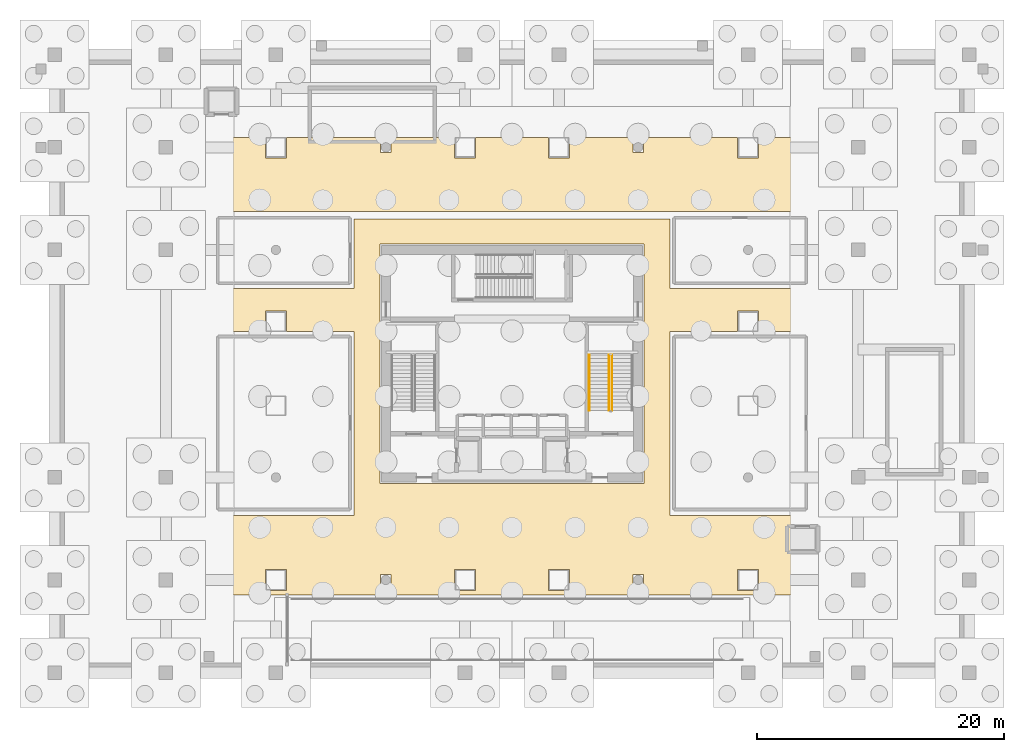
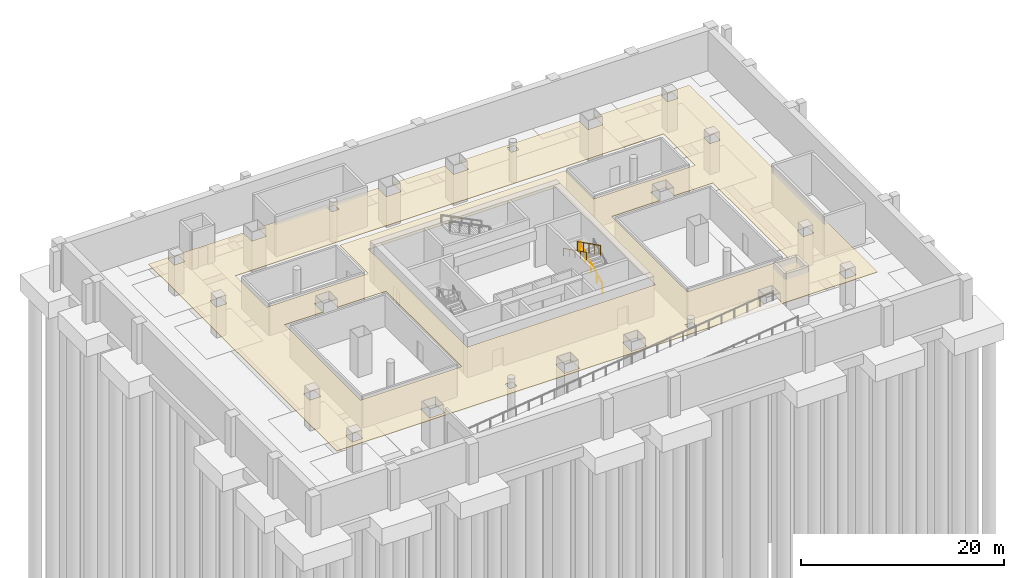
# One storey, part 9 of 11: 3 railings, 1 covering.
"""IFC4 building model written with IfcOpenShell, lengths in metres."""

from ifc_helpers import new_model, si_unit, direction, frame, origin, origin_2d, place, context, subcontext, project, spatial, polyline, circle, outline, extrude, material, layer, layer_set, type_object, element, save


model = new_model("IFC4")

# Units and contexts
model_context = context("Model", 3, precision=1e-05, world=origin(), true_north=direction((0.0, 1.0)))
body_context = subcontext(model_context, "Body", "Model", "MODEL_VIEW")
ifc_project = project(units=[si_unit("LENGTHUNIT", "METRE"), si_unit("AREAUNIT", "SQUARE_METRE"), si_unit("VOLUMEUNIT", "CUBIC_METRE"), si_unit("PLANEANGLEUNIT", "RADIAN"), si_unit("MASSUNIT", "GRAM", prefix="KILO")], contexts=[model_context])

# Site, building, storey
site_placement = place(None, origin())
site = spatial("IfcSite", under=ifc_project, at=site_placement, CompositionType="ELEMENT")
building_placement = place(site_placement, origin())
building = spatial("IfcBuilding", under=site, at=building_placement, Name="Punatoya Terracotta Tower", CompositionType="ELEMENT")
storey_placement = place(building_placement, frame((0.0, 0.0, -9.60009765625)))
storey = spatial("IfcBuildingStorey", under=building, at=storey_placement, Name="B2", CompositionType="ELEMENT", Elevation=-9.60009765625)

# Covering
ifc_material_1 = material(Name="Acoustic Mineral Fibre Ceiling")
ifc_layer = layer(ifc_material_1, 0.06005859375)
ifc_layer_set = layer_set([ifc_layer], Name="Acoustic Mineral Fibre Ceiling")
covering_type = type_object("IfcCoveringType", Name="COV-CEIL-60", PredefinedType="CEILING", material=ifc_layer_set)
covering_placement = place(storey_placement, frame((0.0, 0.0, 3.739990234375)))
element("IfcCovering", 1, at=covering_placement, inside=storey, type_object=covering_type, Name="B2 Two-Way Basement Parking and Core Circulation Loop Acoustic Ceiling", PredefinedType="CEILING", context=body_context, shape_type="SweptSolid", body=[
    extrude(outline(polyline([(30.699951171875, -18.699951171875), (30.699951171875, 18.300048828125), (19.949951171875, 18.300048828125), (19.949951171875, 16.64990234375), (18.25, 16.64990234375), (18.25, 18.300048828125), (4.64990234375, 18.300048828125), (4.64990234375, 16.64990234375), (2.949951171875, 16.64990234375), (2.949951171875, 18.300048828125), (-2.949951171875, 18.300048828125), (-2.949951171875, 16.64990234375), (-4.64990234375, 16.64990234375), (-4.64990234375, 18.300048828125), (-18.25, 18.300048828125), (-18.25, 16.64990234375), (-19.949951171875, 16.64990234375), (-19.949951171875, 18.300048828125), (-30.699951171875, 18.300048828125), (-30.699951171875, -18.699951171875), (30.699951171875, -18.699951171875)]), holes=[polyline([(28.60009765625, 18.10009765625), (28.60009765625, 16.89990234375), (27.39990234375, 16.89990234375), (27.39990234375, 18.10009765625), (28.60009765625, 18.10009765625)]), polyline([(28.60009765625, 8.60009765625), (27.39990234375, 8.60009765625), (27.39990234375, 9.800048828125), (28.60009765625, 9.800048828125), (28.60009765625, 8.60009765625)]), polyline([(28.60009765625, -8.60009765625), (28.60009765625, -9.800048828125), (27.39990234375, -9.800048828125), (27.39990234375, -8.60009765625), (28.60009765625, -8.60009765625)]), polyline([(28.60009765625, -16.89990234375), (28.60009765625, -18.10009765625), (27.39990234375, -18.10009765625), (27.39990234375, -16.89990234375), (28.60009765625, -16.89990234375)]), polyline([(18.25, 2.60009765625), (18.25, 4.25), (19.949951171875, 4.25), (19.949951171875, 2.60009765625), (24.300048828125, 2.60009765625), (24.300048828125, -12.300048828125), (12.800048828125, -12.300048828125), (12.800048828125, 2.60009765625), (18.25, 2.60009765625)]), polyline([(12.800048828125, 11.699951171875), (-12.800048828125, 11.699951171875), (-12.800048828125, 6.10009765625), (-24.300048828125, 6.10009765625), (-24.300048828125, 12.300048828125), (24.300048828125, 12.300048828125), (24.300048828125, 6.10009765625), (12.800048828125, 6.10009765625), (12.800048828125, 11.699951171875)]), polyline([(19.949951171875, -18.35009765625), (18.25, -18.35009765625), (18.25, -16.64990234375), (19.949951171875, -16.64990234375), (19.949951171875, -18.35009765625)]), polyline([(10.679931640625, -9.679931640625), (-10.679931640625, -9.679931640625), (-10.679931640625, 9.679931640625), (10.679931640625, 9.679931640625), (10.679931640625, -9.679931640625)]), polyline([(9.77490234375, -17.074951171875), (10.625, -17.074951171875), (10.625, -17.925048828125), (9.77490234375, -17.925048828125), (9.77490234375, -17.074951171875)]), polyline([(10.625, 17.074951171875), (9.77490234375, 17.074951171875), (9.77490234375, 17.925048828125), (10.625, 17.925048828125), (10.625, 17.074951171875)]), polyline([(4.64990234375, -16.64990234375), (4.64990234375, -18.35009765625), (2.949951171875, -18.35009765625), (2.949951171875, -16.64990234375), (4.64990234375, -16.64990234375)]), polyline([(-4.64990234375, -16.64990234375), (-2.949951171875, -16.64990234375), (-2.949951171875, -18.35009765625), (-4.64990234375, -18.35009765625), (-4.64990234375, -16.64990234375)]), polyline([(-9.77490234375, 17.925048828125), (-9.77490234375, 17.074951171875), (-10.625, 17.074951171875), (-10.625, 17.925048828125), (-9.77490234375, 17.925048828125)]), polyline([(-10.625, -17.925048828125), (-10.625, -17.074951171875), (-9.77490234375, -17.074951171875), (-9.77490234375, -17.925048828125), (-10.625, -17.925048828125)]), polyline([(-12.800048828125, -12.300048828125), (-24.300048828125, -12.300048828125), (-24.300048828125, 2.60009765625), (-19.949951171875, 2.60009765625), (-19.949951171875, 4.25), (-18.25, 4.25), (-18.25, 2.60009765625), (-12.800048828125, 2.60009765625), (-12.800048828125, -12.300048828125)]), polyline([(-19.949951171875, -18.35009765625), (-19.949951171875, -16.64990234375), (-18.25, -16.64990234375), (-18.25, -18.35009765625), (-19.949951171875, -18.35009765625)]), polyline([(-28.60009765625, -16.89990234375), (-27.39990234375, -16.89990234375), (-27.39990234375, -18.10009765625), (-28.60009765625, -18.10009765625), (-28.60009765625, -16.89990234375)]), polyline([(-28.60009765625, 18.10009765625), (-27.39990234375, 18.10009765625), (-27.39990234375, 16.89990234375), (-28.60009765625, 16.89990234375), (-28.60009765625, 18.10009765625)]), polyline([(-28.60009765625, 9.800048828125), (-27.39990234375, 9.800048828125), (-27.39990234375, 8.60009765625), (-28.60009765625, 8.60009765625), (-28.60009765625, 9.800048828125)]), polyline([(-28.60009765625, -9.800048828125), (-28.60009765625, -8.60009765625), (-27.39990234375, -8.60009765625), (-27.39990234375, -9.800048828125), (-28.60009765625, -9.800048828125)])]), origin(), (0.0, 0.0, 1.0), 0.06005859375),
])

# Railings
ifc_material_2 = material(Name="Steel S355", Category="steel")
railing_type_1 = type_object("IfcRailingType", Name="RLG-GRD-1150", PredefinedType="GUARDRAIL", material=ifc_material_2)
railing_1_placement = place(storey_placement, frame((8.10009765625, -3.800048828125, 0.150146484375)))
element("IfcRailing", 2, at=railing_1_placement, inside=storey, type_object=railing_type_1, Name="B2 ST-2 stair guard 1", PredefinedType="GUARDRAIL", context=body_context, shape_type="SweptSolid", body=[
    extrude(circle(Radius=0.02392578125, at=origin_2d()), frame((0.0, 0.0, 1.1259765625), z_axis=(0.0, 0.894427191, 0.4472135955), x_axis=(-1.0, 0.0, 0.0)), (0.0, 0.0, 1.0), 5.03125),
    extrude(circle(Radius=0.02099609375, at=origin_2d()), origin(), (0.0, 0.0, 1.0), 1.101806640625),
    extrude(circle(Radius=0.02099609375, at=origin_2d()), frame((0.0, 1.125, 0.5625)), (0.0, 0.0, 1.0), 1.101806640625),
    extrude(circle(Radius=0.02099609375, at=origin_2d()), frame((0.0, 2.25, 1.125)), (0.0, 0.0, 1.0), 1.101806640625),
    extrude(circle(Radius=0.02099609375, at=origin_2d()), frame((0.0, 3.375, 1.6875)), (0.0, 0.0, 1.0), 1.101806640625),
    extrude(circle(Radius=0.02099609375, at=origin_2d()), frame((0.0, 4.5, 2.25)), (0.0, 0.0, 1.0), 1.101806640625),
])
railing_2_placement = place(storey_placement, frame((7.85009765625, 0.699951171875, 2.550048828125)))
element("IfcRailing", 3, at=railing_2_placement, inside=storey, type_object=railing_type_1, Name="B2 ST-2 stair guard 3", PredefinedType="GUARDRAIL", context=body_context, shape_type="SweptSolid", body=[
    extrude(circle(Radius=0.02392578125, at=origin_2d()), frame((0.0, 0.0, 1.1259765625), z_axis=(0.0, -0.894427191, 0.4472135955), x_axis=(1.0, 0.0, 0.0)), (0.0, 0.0, 1.0), 5.03125),
    extrude(circle(Radius=0.02099609375, at=origin_2d()), origin(), (0.0, 0.0, 1.0), 1.101806640625),
    extrude(circle(Radius=0.02099609375, at=origin_2d()), frame((0.0, -1.125, 0.5625)), (0.0, 0.0, 1.0), 1.101806640625),
    extrude(circle(Radius=0.02099609375, at=origin_2d()), frame((0.0, -2.25, 1.125)), (0.0, 0.0, 1.0), 1.101806640625),
    extrude(circle(Radius=0.02099609375, at=origin_2d()), frame((0.0, -3.375, 1.6875)), (0.0, 0.0, 1.0), 1.101806640625),
    extrude(circle(Radius=0.02099609375, at=origin_2d()), frame((0.0, -4.5, 2.25)), (0.0, 0.0, 1.0), 1.101806640625),
])
railing_type_2 = type_object("IfcRailingType", Name="RLG-HND-900", PredefinedType="HANDRAIL", material=ifc_material_2)
railing_3_placement = place(storey_placement, frame((6.25, 0.699951171875, 2.550048828125)))
element("IfcRailing", 4, at=railing_3_placement, inside=storey, type_object=railing_type_2, Name="B2 ST-2 stair handrail 2", PredefinedType="HANDRAIL", context=body_context, shape_type="SweptSolid", body=[
    extrude(circle(Radius=0.02392578125, at=origin_2d()), frame((0.0, 0.0, 0.8759765625), z_axis=(0.0, -0.894427191, 0.4472135955), x_axis=(1.0, 0.0, 0.0)), (0.0, 0.0, 1.0), 5.03125),
    extrude(circle(Radius=0.02099609375, at=origin_2d()), origin(), (0.0, 0.0, 1.0), 0.851806640625),
    extrude(circle(Radius=0.02099609375, at=origin_2d()), frame((0.0, -1.125, 0.5625)), (0.0, 0.0, 1.0), 0.851806640625),
    extrude(circle(Radius=0.02099609375, at=origin_2d()), frame((0.0, -2.25, 1.125)), (0.0, 0.0, 1.0), 0.851806640625),
    extrude(circle(Radius=0.02099609375, at=origin_2d()), frame((0.0, -3.375, 1.6875)), (0.0, 0.0, 1.0), 0.851806640625),
    extrude(circle(Radius=0.02099609375, at=origin_2d()), frame((0.0, -4.5, 2.25)), (0.0, 0.0, 1.0), 0.851806640625),
])

save(model, "model.ifc")
